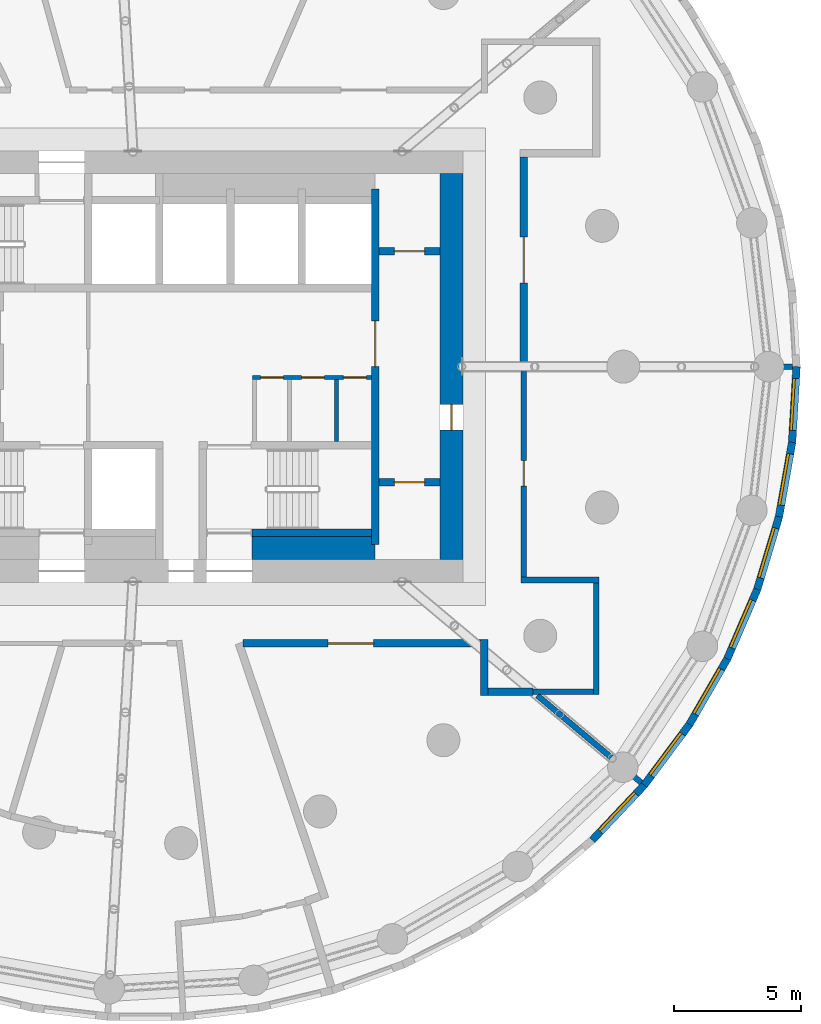
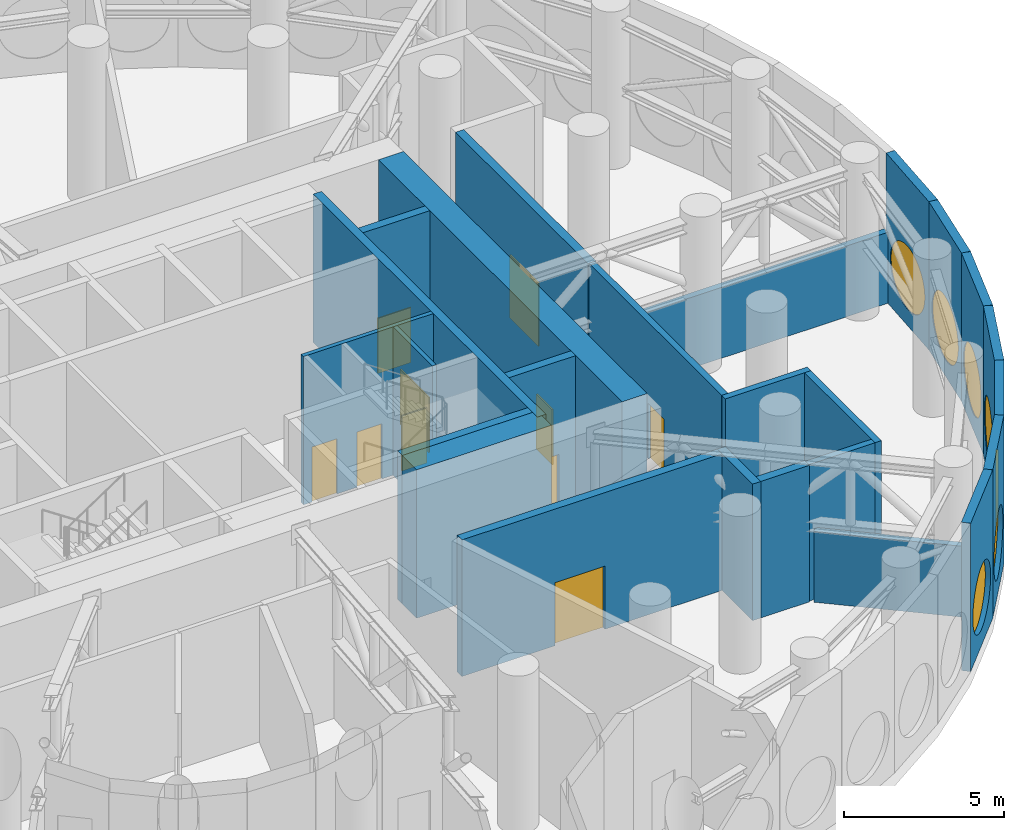
# One storey, part 10 of 15: 25 walls, 10 doors, 7 windows, 17 openings.
"""IFC4 building model written with IfcOpenShell, lengths in metres."""

from ifc_helpers import new_model, si_unit, direction, frame, frame_2d, origin, origin_2d, place, context, subcontext, project, spatial, rectangle, circle, extrude, material, layer, layer_set, type_object, element, fill, save


model = new_model("IFC4")

# Units and contexts
model_context = context("Model", 3, precision=1e-05, world=origin(), true_north=direction((0.0, 1.0)))
body_context = subcontext(model_context, "Body", "Model", "MODEL_VIEW")
ifc_project = project(units=[si_unit("LENGTHUNIT", "METRE"), si_unit("AREAUNIT", "SQUARE_METRE"), si_unit("VOLUMEUNIT", "CUBIC_METRE"), si_unit("PLANEANGLEUNIT", "RADIAN"), si_unit("MASSUNIT", "GRAM", prefix="KILO")], contexts=[model_context])

# Site, building, storey
site_placement = place(None, origin())
site = spatial("IfcSite", under=ifc_project, at=site_placement, CompositionType="ELEMENT")
building_placement = place(site_placement, origin())
building = spatial("IfcBuilding", under=site, at=building_placement, Name="Tracery Tower", CompositionType="ELEMENT")
storey_placement = place(building_placement, frame((0.0, 0.0, 225.0)))
storey = spatial("IfcBuildingStorey", under=building, at=storey_placement, Name="L58 Plant", CompositionType="ELEMENT", Elevation=225.0)

# Wall, openings, doors
ifc_material_1 = material(Name="Plasterboard on steel studs", Category="steel")
ifc_layer_1 = layer(ifc_material_1, 0.14990234375)
ifc_layer_set_1 = layer_set([ifc_layer_1], Name="Core room partition 150")
wall_type_1 = type_object("IfcWallType", Name="Core room partition 150", PredefinedType="SOLIDWALL", material=ifc_layer_set_1)
wall_1_placement = place(storey_placement, frame((4.22509765625, -0.425048828125, 0.0), z_axis=(0.0, 0.0, 1.0), x_axis=(1.0, 0.0, 0.0)))
wall_1 = element("IfcWall", 1, at=wall_1_placement, inside=storey, type_object=wall_type_1, Name="L58 Plant slot N", PredefinedType="SOLIDWALL", context=body_context, shape_type="SweptSolid", body=[
    extrude(rectangle(XDim=4.6748046875, YDim=0.14990234375, at=frame_2d((2.33740234375, 0.0))), origin(), (0.0, 0.0, 1.0), 5.64990234375),
])
opening_1_placement = place(wall_1_placement, frame((0.3125, 0.0, 0.0)))
opening_1 = element("IfcOpeningElement", 2, at=opening_1_placement, cuts=wall_1, Name="Opening KD37", PredefinedType="OPENING", context=body_context, shape_type="SweptSolid", body=[
    extrude(rectangle(XDim=0.89990234375, YDim=2.10009765625, at=frame_2d((0.449951171875, 1.050048828125))), frame((0.0, 0.074951171875, 0.0), z_axis=(0.0, -1.0, 0.0), x_axis=(1.0, 0.0, 0.0)), (0.0, 0.0, 1.0), 0.14990234375),
])
opening_2_placement = place(wall_1_placement, frame((1.925048828125, 0.0, 0.0)))
opening_2 = element("IfcOpeningElement", 3, at=opening_2_placement, cuts=wall_1, Name="Opening KD36", PredefinedType="OPENING", context=body_context, shape_type="SweptSolid", body=[
    extrude(rectangle(XDim=0.89990234375, YDim=2.10009765625, at=frame_2d((0.449951171875, 1.050048828125))), frame((0.0, 0.074951171875, 0.0), z_axis=(0.0, -1.0, 0.0), x_axis=(1.0, 0.0, 0.0)), (0.0, 0.0, 1.0), 0.14990234375),
])
opening_3_placement = place(wall_1_placement, frame((3.574951171875, 0.0, 0.0)))
opening_3 = element("IfcOpeningElement", 4, at=opening_3_placement, cuts=wall_1, Name="Opening KD37", PredefinedType="OPENING", context=body_context, shape_type="SweptSolid", body=[
    extrude(rectangle(XDim=0.89990234375, YDim=2.10009765625, at=frame_2d((0.449951171875, 1.050048828125))), frame((0.0, 0.074951171875, 0.0), z_axis=(0.0, -1.0, 0.0), x_axis=(1.0, 0.0, 0.0)), (0.0, 0.0, 1.0), 0.14990234375),
])
ifc_material_2 = material(Name="Steel fire door", Category="steel")
door_type_1 = type_object("IfcDoorType", Name="Core plant door 900", OperationType="NOTDEFINED", PredefinedType="DOOR", material=ifc_material_2)
door_1_placement = place(opening_1_placement, origin())
door_1 = element("IfcDoor", 5, at=door_1_placement, inside=storey, type_object=door_type_1, Name="Core door", OperationType="SINGLE_SWING_RIGHT", OverallHeight=2.10009765625, OverallWidth=0.89990234375, PredefinedType="DOOR", context=body_context, shape_type="SweptSolid", body=[
    extrude(rectangle(XDim=0.89990234375, YDim=2.10009765625, at=frame_2d((0.449951171875, 1.050048828125))), frame((0.0, 0.02490234375, 0.0), z_axis=(0.0, -1.0, 0.0), x_axis=(1.0, 0.0, 0.0)), (0.0, 0.0, 1.0), 0.050048828125),
])
fill(opening_1, door_1)
door_2_placement = place(opening_2_placement, origin())
door_2 = element("IfcDoor", 6, at=door_2_placement, inside=storey, type_object=door_type_1, Name="Core door", OperationType="SINGLE_SWING_LEFT", OverallHeight=2.10009765625, OverallWidth=0.89990234375, PredefinedType="DOOR", context=body_context, shape_type="SweptSolid", body=[
    extrude(rectangle(XDim=0.89990234375, YDim=2.10009765625, at=frame_2d((0.449951171875, 1.050048828125))), frame((0.0, 0.02490234375, 0.0), z_axis=(0.0, -1.0, 0.0), x_axis=(1.0, 0.0, 0.0)), (0.0, 0.0, 1.0), 0.050048828125),
])
fill(opening_2, door_2)
door_3_placement = place(opening_3_placement, origin())
door_3 = element("IfcDoor", 7, at=door_3_placement, inside=storey, type_object=door_type_1, Name="Core door", OperationType="SINGLE_SWING_RIGHT", OverallHeight=2.10009765625, OverallWidth=0.89990234375, PredefinedType="DOOR", context=body_context, shape_type="SweptSolid", body=[
    extrude(rectangle(XDim=0.89990234375, YDim=2.10009765625, at=frame_2d((0.449951171875, 1.050048828125))), frame((0.0, 0.02490234375, 0.0), z_axis=(0.0, -1.0, 0.0), x_axis=(1.0, 0.0, 0.0)), (0.0, 0.0, 1.0), 0.050048828125),
])
fill(opening_3, door_3)

# Walls
wall_2_placement = place(storey_placement, frame((7.52490234375, -2.949951171875, 0.0), z_axis=(0.0, 0.0, 1.0), x_axis=(0.0, 1.0, 0.0)))
element("IfcWall", 8, at=wall_2_placement, inside=storey, type_object=wall_type_1, Name="L58 Plant slot sep 2", PredefinedType="SOLIDWALL", context=body_context, shape_type="SweptSolid", body=[
    extrude(rectangle(XDim=2.449951171875, YDim=0.14990234375, at=frame_2d((1.22509765625, 0.0))), origin(), (0.0, 0.0, 1.0), 5.64990234375),
])
ifc_material_3 = material(Name="Concrete C50/60", Category="concrete")
ifc_layer_2 = layer(ifc_material_3, 0.89990234375)
ifc_layer_set_2 = layer_set([ifc_layer_2], Name="Core strip wall 900 C50")
wall_type_2 = type_object("IfcWallType", Name="Core strip wall 900 C50", PredefinedType="SOLIDWALL", material=ifc_layer_set_2)
wall_3_placement = place(storey_placement, frame((4.199951171875, -7.14990234375, 0.0), z_axis=(0.0, 0.0, 1.0), x_axis=(1.0, 0.0, 0.0)))
element("IfcWall", 9, at=wall_3_placement, inside=storey, type_object=wall_type_2, Name="L58 Plant F thick S E", PredefinedType="SOLIDWALL", context=body_context, shape_type="SweptSolid", body=[
    extrude(rectangle(XDim=4.85009765625, YDim=0.89990234375, at=frame_2d((2.425048828125, 0.0))), origin(), (0.0, 0.0, 1.0), 5.64990234375),
])

# Wall, opening, door
ifc_material_4 = material(Name="Concrete C50/60", Category="concrete")
ifc_layer_3 = layer(ifc_material_4, 0.89990234375)
ifc_layer_set_3 = layer_set([ifc_layer_3], Name="Core wall 900 C50")
wall_type_3 = type_object("IfcWallType", Name="Core wall 900 C50", PredefinedType="SOLIDWALL", material=ifc_layer_set_3)
wall_4_placement = place(storey_placement, frame((12.050048828125, -7.60009765625, 0.0), z_axis=(0.0, 0.0, 1.0), x_axis=(0.0, 1.0, 0.0)))
wall_4 = element("IfcWall", 10, at=wall_4_placement, inside=storey, type_object=wall_type_3, Name="L58 Plant outer E", PredefinedType="SOLIDWALL", context=body_context, shape_type="SweptSolid", body=[
    extrude(rectangle(XDim=15.2001953125, YDim=0.89990234375, at=frame_2d((7.60009765625, 0.0))), origin(), (0.0, 0.0, 1.0), 5.64990234375),
])
opening_4_placement = place(wall_4_placement, frame((5.10009765625, 0.0, 0.0)))
opening_4 = element("IfcOpeningElement", 11, at=opening_4_placement, cuts=wall_4, Name="Opening KD18", PredefinedType="OPENING", context=body_context, shape_type="SweptSolid", body=[
    extrude(rectangle(XDim=1.0, YDim=2.10009765625, at=frame_2d((0.5, 1.050048828125))), frame((0.0, 0.449951171875, 0.0), z_axis=(0.0, -1.0, 0.0), x_axis=(1.0, 0.0, 0.0)), (0.0, 0.0, 1.0), 0.89990234375),
])
ifc_material_5 = material(Name="Steel fire door", Category="steel")
door_type_2 = type_object("IfcDoorType", Name="Core exit door 1000", OperationType="NOTDEFINED", PredefinedType="DOOR", material=ifc_material_5)
door_4_placement = place(opening_4_placement, origin())
door_4 = element("IfcDoor", 12, at=door_4_placement, inside=storey, type_object=door_type_2, Name="Core exit door", OperationType="DOUBLE_DOOR_SINGLE_SWING", OverallHeight=2.10009765625, OverallWidth=1.0, PredefinedType="DOOR", context=body_context, shape_type="SweptSolid", body=[
    extrude(rectangle(XDim=1.0, YDim=2.10009765625, at=frame_2d((0.5, 1.050048828125))), frame((0.0, 0.02490234375, 0.0), z_axis=(0.0, -1.0, 0.0), x_axis=(1.0, 0.0, 0.0)), (0.0, 0.0, 1.0), 0.050048828125),
])
fill(opening_4, door_4)

# Wall, opening, window
ifc_material_6 = material(Name="Precast concrete C50/60", Category="concrete")
ifc_layer_4 = layer(ifc_material_6, 0.300048828125)
ifc_layer_set_4 = layer_set([ifc_layer_4], Name="Plant louvre panel 3000 x 5650")
wall_type_4 = type_object("IfcWallType", Name="Plant louvre panel 3000 x 5650", PredefinedType="SOLIDWALL", material=ifc_layer_set_4)
wall_5_placement = place(storey_placement, frame((17.600341796875, -18.6552734375, 0.0), z_axis=(0.0, 0.0, 1.0), x_axis=(0.686219609698, 0.72739442345, 0.0)))
wall_5 = element("IfcWall", 13, at=wall_5_placement, inside=storey, type_object=wall_type_4, Name="Plant louvre panel 48 at L58 Plant", PredefinedType="SOLIDWALL", context=body_context, shape_type="SweptSolid", body=[
    extrude(rectangle(XDim=2.982421875, YDim=0.300048828125, at=frame_2d((1.4912109375, 0.0))), origin(), (0.0, 0.0, 1.0), 5.64990234375),
])
opening_5_placement = place(wall_5_placement, frame((1.4912109375, 0.0, 1.824951171875)))
opening_5 = element("IfcOpeningElement", 14, at=opening_5_placement, cuts=wall_5, Name="Opening LV2", PredefinedType="OPENING", context=body_context, shape_type="SweptSolid", body=[
    extrude(circle(Radius=1.199951171875, at=origin_2d()), frame((0.0, 0.159912109375, 0.0), z_axis=(0.0, -1.0, 0.0), x_axis=(1.0, 0.0, 0.0)), (0.0, 0.0, 1.0), 0.320068359375),
])
ifc_material_7 = material(Name="Aluminium louvre, bronze anodised", Category="aluminium")
window_type = type_object("IfcWindowType", Name="Louvred oculus 2400, sill 625", PartitioningType="SINGLE_PANEL", PredefinedType="WINDOW", material=ifc_material_7)
window_1_placement = place(opening_5_placement, origin())
window_1 = element("IfcWindow", 15, at=window_1_placement, inside=storey, type_object=window_type, Name="Louvred oculus 48 at L58 Plant", OverallHeight=2.39990234375, OverallWidth=2.39990234375, PartitioningType="SINGLE_PANEL", PredefinedType="WINDOW", context=body_context, shape_type="SweptSolid", body=[
    extrude(circle(Radius=1.199951171875, at=origin_2d()), frame((0.0, 0.1201171875, 0.0), z_axis=(0.0, -1.0, 0.0), x_axis=(1.0, 0.0, 0.0)), (0.0, 0.0, 1.0), 0.10009765625),
])
fill(opening_5, window_1)

wall_6_placement = place(storey_placement, frame((19.64697265625, -16.48583984375, 0.0), z_axis=(0.0, 0.0, 1.0), x_axis=(0.597206768034, 0.802087324557, 0.0)))
wall_6 = element("IfcWall", 16, at=wall_6_placement, inside=storey, type_object=wall_type_4, Name="Plant louvre panel 49 at L58 Plant", PredefinedType="SOLIDWALL", context=body_context, shape_type="SweptSolid", body=[
    extrude(rectangle(XDim=2.982666015625, YDim=0.300048828125, at=frame_2d((1.4912109375, 0.0))), origin(), (0.0, 0.0, 1.0), 5.64990234375),
])
opening_6_placement = place(wall_6_placement, frame((1.4912109375, 0.0, 1.824951171875)))
opening_6 = element("IfcOpeningElement", 17, at=opening_6_placement, cuts=wall_6, Name="Opening LV2", PredefinedType="OPENING", context=body_context, shape_type="SweptSolid", body=[
    extrude(circle(Radius=1.199951171875, at=origin_2d()), frame((0.0, 0.159912109375, 0.0), z_axis=(0.0, -1.0, 0.0), x_axis=(1.0, 0.0, 0.0)), (0.0, 0.0, 1.0), 0.320068359375),
])
window_2_placement = place(opening_6_placement, origin())
window_2 = element("IfcWindow", 18, at=window_2_placement, inside=storey, type_object=window_type, Name="Louvred oculus 49 at L58 Plant", OverallHeight=2.39990234375, OverallWidth=2.39990234375, PartitioningType="SINGLE_PANEL", PredefinedType="WINDOW", context=body_context, shape_type="SweptSolid", body=[
    extrude(circle(Radius=1.199951171875, at=origin_2d()), frame((0.0, 0.1201171875, 0.0), z_axis=(0.0, -1.0, 0.0), x_axis=(1.0, 0.0, 0.0)), (0.0, 0.0, 1.0), 0.10009765625),
])
fill(opening_6, window_2)

wall_7_placement = place(storey_placement, frame((21.42822265625, -14.093505859375, 0.0), z_axis=(0.0, 0.0, 1.0), x_axis=(0.499977539641, 0.866038370891, 0.0)))
wall_7 = element("IfcWall", 19, at=wall_7_placement, inside=storey, type_object=wall_type_4, Name="Plant louvre panel 50 at L58 Plant", PredefinedType="SOLIDWALL", context=body_context, shape_type="SweptSolid", body=[
    extrude(rectangle(XDim=2.982666015625, YDim=0.300048828125, at=frame_2d((1.4912109375, 0.0))), origin(), (0.0, 0.0, 1.0), 5.64990234375),
])
opening_7_placement = place(wall_7_placement, frame((1.4912109375, 0.0, 1.824951171875)))
opening_7 = element("IfcOpeningElement", 20, at=opening_7_placement, cuts=wall_7, Name="Opening LV2", PredefinedType="OPENING", context=body_context, shape_type="SweptSolid", body=[
    extrude(circle(Radius=1.199951171875, at=origin_2d()), frame((0.0, 0.159912109375, 0.0), z_axis=(0.0, -1.0, 0.0), x_axis=(1.0, 0.0, 0.0)), (0.0, 0.0, 1.0), 0.320068359375),
])
window_3_placement = place(opening_7_placement, origin())
window_3 = element("IfcWindow", 21, at=window_3_placement, inside=storey, type_object=window_type, Name="Louvred oculus 50 at L58 Plant", OverallHeight=2.39990234375, OverallWidth=2.39990234375, PartitioningType="SINGLE_PANEL", PredefinedType="WINDOW", context=body_context, shape_type="SweptSolid", body=[
    extrude(circle(Radius=1.199951171875, at=origin_2d()), frame((0.0, 0.1201171875, 0.0), z_axis=(0.0, -1.0, 0.0), x_axis=(1.0, 0.0, 0.0)), (0.0, 0.0, 1.0), 0.10009765625),
])
fill(opening_7, window_3)

wall_8_placement = place(storey_placement, frame((22.91943359375, -11.510498046875, 0.0), z_axis=(0.0, 0.0, 1.0), x_axis=(0.396111410027, 0.918202456349, 0.0)))
wall_8 = element("IfcWall", 22, at=wall_8_placement, inside=storey, type_object=wall_type_4, Name="Plant louvre panel 51 at L58 Plant", PredefinedType="SOLIDWALL", context=body_context, shape_type="SweptSolid", body=[
    extrude(rectangle(XDim=2.982421875, YDim=0.300048828125, at=frame_2d((1.4912109375, 0.0))), origin(), (0.0, 0.0, 1.0), 5.64990234375),
])
opening_8_placement = place(wall_8_placement, frame((1.4912109375, 0.0, 1.824951171875)))
opening_8 = element("IfcOpeningElement", 23, at=opening_8_placement, cuts=wall_8, Name="Opening LV2", PredefinedType="OPENING", context=body_context, shape_type="SweptSolid", body=[
    extrude(circle(Radius=1.199951171875, at=origin_2d()), frame((0.0, 0.159912109375, 0.0), z_axis=(0.0, -1.0, 0.0), x_axis=(1.0, 0.0, 0.0)), (0.0, 0.0, 1.0), 0.320068359375),
])
window_4_placement = place(opening_8_placement, origin())
window_4 = element("IfcWindow", 24, at=window_4_placement, inside=storey, type_object=window_type, Name="Louvred oculus 51 at L58 Plant", OverallHeight=2.39990234375, OverallWidth=2.39990234375, PartitioningType="SINGLE_PANEL", PredefinedType="WINDOW", context=body_context, shape_type="SweptSolid", body=[
    extrude(circle(Radius=1.199951171875, at=origin_2d()), frame((0.0, 0.1201171875, 0.0), z_axis=(0.0, -1.0, 0.0), x_axis=(1.0, 0.0, 0.0)), (0.0, 0.0, 1.0), 0.10009765625),
])
fill(opening_8, window_4)

wall_9_placement = place(storey_placement, frame((24.100830078125, -8.77197265625, 0.0), z_axis=(0.0, 0.0, 1.0), x_axis=(0.286754535355, 0.958004089998, 0.0)))
wall_9 = element("IfcWall", 25, at=wall_9_placement, inside=storey, type_object=wall_type_4, Name="Plant louvre panel 52 at L58 Plant", PredefinedType="SOLIDWALL", context=body_context, shape_type="SweptSolid", body=[
    extrude(rectangle(XDim=2.982421875, YDim=0.300048828125, at=frame_2d((1.4912109375, 0.0))), origin(), (0.0, 0.0, 1.0), 5.64990234375),
])
opening_9_placement = place(wall_9_placement, frame((1.4912109375, 0.0, 1.824951171875)))
opening_9 = element("IfcOpeningElement", 26, at=opening_9_placement, cuts=wall_9, Name="Opening LV2", PredefinedType="OPENING", context=body_context, shape_type="SweptSolid", body=[
    extrude(circle(Radius=1.199951171875, at=origin_2d()), frame((0.0, 0.159912109375, 0.0), z_axis=(0.0, -1.0, 0.0), x_axis=(1.0, 0.0, 0.0)), (0.0, 0.0, 1.0), 0.320068359375),
])
window_5_placement = place(opening_9_placement, origin())
window_5 = element("IfcWindow", 27, at=window_5_placement, inside=storey, type_object=window_type, Name="Louvred oculus 52 at L58 Plant", OverallHeight=2.39990234375, OverallWidth=2.39990234375, PartitioningType="SINGLE_PANEL", PredefinedType="WINDOW", context=body_context, shape_type="SweptSolid", body=[
    extrude(circle(Radius=1.199951171875, at=origin_2d()), frame((0.0, 0.1201171875, 0.0), z_axis=(0.0, -1.0, 0.0), x_axis=(1.0, 0.0, 0.0)), (0.0, 0.0, 1.0), 0.10009765625),
])
fill(opening_9, window_5)

wall_10_placement = place(storey_placement, frame((24.9560546875, -5.914794921875, 0.0), z_axis=(0.0, 0.0, 1.0), x_axis=(0.17369661102, 0.984799211677, 0.0)))
wall_10 = element("IfcWall", 28, at=wall_10_placement, inside=storey, type_object=wall_type_4, Name="Plant louvre panel 53 at L58 Plant", PredefinedType="SOLIDWALL", context=body_context, shape_type="SweptSolid", body=[
    extrude(rectangle(XDim=2.982666015625, YDim=0.300048828125, at=frame_2d((1.4912109375, 0.0))), origin(), (0.0, 0.0, 1.0), 5.64990234375),
])
opening_10_placement = place(wall_10_placement, frame((1.4912109375, 0.0, 1.824951171875)))
opening_10 = element("IfcOpeningElement", 29, at=opening_10_placement, cuts=wall_10, Name="Opening LV2", PredefinedType="OPENING", context=body_context, shape_type="SweptSolid", body=[
    extrude(circle(Radius=1.199951171875, at=origin_2d()), frame((0.0, 0.159912109375, 0.0), z_axis=(0.0, -1.0, 0.0), x_axis=(1.0, 0.0, 0.0)), (0.0, 0.0, 1.0), 0.320068359375),
])
window_6_placement = place(opening_10_placement, origin())
window_6 = element("IfcWindow", 30, at=window_6_placement, inside=storey, type_object=window_type, Name="Louvred oculus 53 at L58 Plant", OverallHeight=2.39990234375, OverallWidth=2.39990234375, PartitioningType="SINGLE_PANEL", PredefinedType="WINDOW", context=body_context, shape_type="SweptSolid", body=[
    extrude(circle(Radius=1.199951171875, at=origin_2d()), frame((0.0, 0.1201171875, 0.0), z_axis=(0.0, -1.0, 0.0), x_axis=(1.0, 0.0, 0.0)), (0.0, 0.0, 1.0), 0.10009765625),
])
fill(opening_10, window_6)

wall_11_placement = place(storey_placement, frame((25.47412109375, -2.9775390625, 0.0), z_axis=(0.0, 0.0, 1.0), x_axis=(0.058117409476, 0.998309754894, 0.0)))
wall_11 = element("IfcWall", 31, at=wall_11_placement, inside=storey, type_object=wall_type_4, Name="Plant louvre panel 54 at L58 Plant", PredefinedType="SOLIDWALL", context=body_context, shape_type="SweptSolid", body=[
    extrude(rectangle(XDim=2.982666015625, YDim=0.300048828125, at=frame_2d((1.4912109375, 0.0))), origin(), (0.0, 0.0, 1.0), 5.64990234375),
])
opening_11_placement = place(wall_11_placement, frame((1.4912109375, 0.0, 1.824951171875)))
opening_11 = element("IfcOpeningElement", 32, at=opening_11_placement, cuts=wall_11, Name="Opening LV2", PredefinedType="OPENING", context=body_context, shape_type="SweptSolid", body=[
    extrude(circle(Radius=1.199951171875, at=origin_2d()), frame((0.0, 0.159912109375, 0.0), z_axis=(0.0, -1.0, 0.0), x_axis=(1.0, 0.0, 0.0)), (0.0, 0.0, 1.0), 0.320068359375),
])
window_7_placement = place(opening_11_placement, origin())
window_7 = element("IfcWindow", 33, at=window_7_placement, inside=storey, type_object=window_type, Name="Louvred oculus 54 at L58 Plant", OverallHeight=2.39990234375, OverallWidth=2.39990234375, PartitioningType="SINGLE_PANEL", PredefinedType="WINDOW", context=body_context, shape_type="SweptSolid", body=[
    extrude(circle(Radius=1.199951171875, at=origin_2d()), frame((0.0, 0.1201171875, 0.0), z_axis=(0.0, -1.0, 0.0), x_axis=(1.0, 0.0, 0.0)), (0.0, 0.0, 1.0), 0.10009765625),
])
fill(opening_11, window_7)

# Wall, opening, door
ifc_material_8 = material(Name="Concrete blockwork", Category="masonry")
ifc_layer_5 = layer(ifc_material_8, 0.22509765625)
ifc_layer_set_5 = layer_set([ifc_layer_5], Name="Plant room block wall 225")
wall_type_5 = type_object("IfcWallType", Name="Plant room block wall 225", PredefinedType="PARTITIONING", material=ifc_layer_set_5)
wall_12_placement = place(storey_placement, frame((14.89990234375, -8.290283203125, 0.0), z_axis=(0.0, 0.0, 1.0), x_axis=(0.0, 1.0, 0.0)))
wall_12 = element("IfcWall", 34, at=wall_12_placement, inside=storey, type_object=wall_type_5, Name="Plant room block wall 225", PredefinedType="PARTITIONING", context=body_context, shape_type="SweptSolid", body=[
    extrude(rectangle(XDim=8.290283203125, YDim=0.22509765625, at=frame_2d((4.14501953125, 0.0))), origin(), (0.0, 0.0, 1.0), 5.199951171875),
])
opening_12_placement = place(wall_12_placement, frame((3.5888671875, 0.0, 0.0)))
opening_12 = element("IfcOpeningElement", 35, at=opening_12_placement, cuts=wall_12, Name="Opening SB-P58-06", PredefinedType="OPENING", context=body_context, shape_type="SweptSolid", body=[
    extrude(rectangle(XDim=1.0, YDim=2.10009765625, at=frame_2d((0.5, 1.050048828125))), frame((0.0, 0.112548828125, 0.0), z_axis=(0.0, -1.0, 0.0), x_axis=(1.0, 0.0, 0.0)), (0.0, 0.0, 1.0), 0.22509765625),
])
ifc_material_9 = material(Name="Steel fire door", Category="steel")
door_type_3 = type_object("IfcDoorType", Name="Plant room door 1000", OperationType="NOTDEFINED", PredefinedType="DOOR", material=ifc_material_9)
door_5_placement = place(opening_12_placement, origin())
door_5 = element("IfcDoor", 36, at=door_5_placement, inside=storey, type_object=door_type_3, Name="Plant room door 1000", OperationType="SINGLE_SWING_LEFT", OverallHeight=2.10009765625, OverallWidth=1.0, PredefinedType="DOOR", context=body_context, shape_type="SweptSolid", body=[
    extrude(rectangle(XDim=1.0, YDim=2.10009765625, at=frame_2d((0.5, 1.050048828125))), frame((0.0, 0.02490234375, 0.0), z_axis=(0.0, -1.0, 0.0), x_axis=(1.0, 0.0, 0.0)), (0.0, 0.0, 1.0), 0.050048828125),
])
fill(opening_12, door_5)

# Walls
wall_13_placement = place(storey_placement, frame((15.2578125, -12.802978515625, 0.0), z_axis=(0.0, 0.0, 1.0), x_axis=(1.0, 0.0, 0.0)))
element("IfcWall", 37, at=wall_13_placement, inside=storey, type_object=wall_type_5, Name="Plant room block wall 225", PredefinedType="PARTITIONING", context=body_context, shape_type="SweptSolid", body=[
    extrude(rectangle(XDim=2.38134765625, YDim=0.22509765625, at=frame_2d((1.190673828125, 0.0))), origin(), (0.0, 0.0, 1.0), 5.199951171875),
])
wall_14_placement = place(storey_placement, frame((17.751708984375, -12.915283203125, 0.0), z_axis=(0.0, 0.0, 1.0), x_axis=(0.0, 1.0, 0.0)))
element("IfcWall", 38, at=wall_14_placement, inside=storey, type_object=wall_type_5, Name="Plant room block wall 225", PredefinedType="PARTITIONING", context=body_context, shape_type="SweptSolid", body=[
    extrude(rectangle(XDim=4.39990234375, YDim=0.22509765625, at=frame_2d((2.199951171875, 0.0))), origin(), (0.0, 0.0, 1.0), 5.199951171875),
])
wall_15_placement = place(storey_placement, frame((17.864013671875, -8.40283203125, 0.0), z_axis=(0.0, 0.0, 1.0), x_axis=(-1.0, 0.0, 0.0)))
element("IfcWall", 39, at=wall_15_placement, inside=storey, type_object=wall_type_5, Name="Plant room block wall 225", PredefinedType="PARTITIONING", context=body_context, shape_type="SweptSolid", body=[
    extrude(rectangle(XDim=3.076416015625, YDim=0.22509765625, at=frame_2d((1.5380859375, 0.0))), origin(), (0.0, 0.0, 1.0), 5.199951171875),
])
ifc_material_10 = material(Name="Concrete blockwork", Category="masonry")
ifc_layer_6 = layer(ifc_material_10, 0.22509765625)
ifc_layer_set_6 = layer_set([ifc_layer_6], Name="Plant wall under outrigger truss 225")
wall_type_6 = type_object("IfcWallType", Name="Plant wall under outrigger truss 225", PredefinedType="PARTITIONING", material=ifc_layer_set_6)
wall_16_placement = place(storey_placement, frame((19.531982421875, -16.389404296875, 0.0), z_axis=(0.0, 0.0, 1.0), x_axis=(-0.766023242491, 0.642812874765, 0.0)))
element("IfcWall", 40, at=wall_16_placement, inside=storey, type_object=wall_type_6, Name="Plant wall under outrigger truss 225", PredefinedType="PARTITIONING", context=body_context, shape_type="SweptSolid", body=[
    extrude(rectangle(XDim=5.34619140625, YDim=0.22509765625, at=frame_2d((2.673095703125, 0.0))), origin(), (0.0, 0.0, 1.0), 2.699951171875),
])
wall_17_placement = place(storey_placement, frame((25.497314453125, 0.0, 0.0), z_axis=(0.0, 0.0, 1.0), x_axis=(-1.0, 0.0, 0.0)))
element("IfcWall", 41, at=wall_17_placement, inside=storey, type_object=wall_type_6, Name="Plant wall under outrigger truss 225", PredefinedType="PARTITIONING", context=body_context, shape_type="SweptSolid", body=[
    extrude(rectangle(XDim=10.447265625, YDim=0.22509765625, at=frame_2d((5.2236328125, 0.0))), origin(), (0.0, 0.0, 1.0), 2.699951171875),
])

# Wall, opening, door
ifc_material_11 = material(Name="Concrete C50/60", Category="concrete")
ifc_layer_7 = layer(ifc_material_11, 0.300048828125)
ifc_layer_set_7 = layer_set([ifc_layer_7], Name="Shaft wall 300 C50")
wall_type_7 = type_object("IfcWallType", Name="Shaft wall 300 C50", PredefinedType="SOLIDWALL", material=ifc_layer_set_7)
wall_18_placement = place(storey_placement, frame((9.199951171875, -4.550048828125, 0.0), z_axis=(0.0, 0.0, 1.0), x_axis=(1.0, 0.0, 0.0)))
wall_18 = element("IfcWall", 42, at=wall_18_placement, inside=storey, type_object=wall_type_7, Name="L58 Plant MR E -4.55", PredefinedType="SOLIDWALL", context=body_context, shape_type="SweptSolid", body=[
    extrude(rectangle(XDim=2.400146484375, YDim=0.300048828125, at=frame_2d((1.2001953125, 0.0))), origin(), (0.0, 0.0, 1.0), 5.64990234375),
])
opening_13_placement = place(wall_18_placement, frame((0.60009765625, 0.0, 0.0)))
opening_13 = element("IfcOpeningElement", 43, at=opening_13_placement, cuts=wall_18, Name="Opening KD41", PredefinedType="OPENING", context=body_context, shape_type="SweptSolid", body=[
    extrude(rectangle(XDim=1.199951171875, YDim=2.10009765625, at=frame_2d((0.60009765625, 1.050048828125))), frame((0.0, 0.14990234375, 0.0), z_axis=(0.0, -1.0, 0.0), x_axis=(1.0, 0.0, 0.0)), (0.0, 0.0, 1.0), 0.300048828125),
])
ifc_material_12 = material(Name="Steel fire door", Category="steel")
door_type_4 = type_object("IfcDoorType", Name="Core plant door 1200", OperationType="NOTDEFINED", PredefinedType="DOOR", material=ifc_material_12)
door_6_placement = place(opening_13_placement, origin())
door_6 = element("IfcDoor", 44, at=door_6_placement, inside=storey, type_object=door_type_4, Name="Machine room door MR3", OperationType="SINGLE_SWING_LEFT", OverallHeight=2.10009765625, OverallWidth=1.199951171875, PredefinedType="DOOR", context=body_context, shape_type="SweptSolid", body=[
    extrude(rectangle(XDim=1.199951171875, YDim=2.10009765625, at=frame_2d((0.60009765625, 1.050048828125))), frame((0.0, 0.02490234375, 0.0), z_axis=(0.0, -1.0, 0.0), x_axis=(1.0, 0.0, 0.0)), (0.0, 0.0, 1.0), 0.050048828125),
])
fill(opening_13, door_6)

wall_19_placement = place(storey_placement, frame((9.199951171875, 4.550048828125, 0.0), z_axis=(0.0, 0.0, 1.0), x_axis=(1.0, 0.0, 0.0)))
wall_19 = element("IfcWall", 45, at=wall_19_placement, inside=storey, type_object=wall_type_7, Name="L58 Plant MR E +4.55", PredefinedType="SOLIDWALL", context=body_context, shape_type="SweptSolid", body=[
    extrude(rectangle(XDim=2.400146484375, YDim=0.300048828125, at=frame_2d((1.2001953125, 0.0))), origin(), (0.0, 0.0, 1.0), 5.64990234375),
])
opening_14_placement = place(wall_19_placement, frame((0.60009765625, 0.0, 0.0)))
opening_14 = element("IfcOpeningElement", 46, at=opening_14_placement, cuts=wall_19, Name="Opening KD41", PredefinedType="OPENING", context=body_context, shape_type="SweptSolid", body=[
    extrude(rectangle(XDim=1.199951171875, YDim=2.10009765625, at=frame_2d((0.60009765625, 1.050048828125))), frame((0.0, 0.14990234375, 0.0), z_axis=(0.0, -1.0, 0.0), x_axis=(1.0, 0.0, 0.0)), (0.0, 0.0, 1.0), 0.300048828125),
])
door_7_placement = place(opening_14_placement, origin())
door_7 = element("IfcDoor", 47, at=door_7_placement, inside=storey, type_object=door_type_4, Name="Machine room door MR4", OperationType="SINGLE_SWING_LEFT", OverallHeight=2.10009765625, OverallWidth=1.199951171875, PredefinedType="DOOR", context=body_context, shape_type="SweptSolid", body=[
    extrude(rectangle(XDim=1.199951171875, YDim=2.10009765625, at=frame_2d((0.60009765625, 1.050048828125))), frame((0.0, 0.02490234375, 0.0), z_axis=(0.0, -1.0, 0.0), x_axis=(1.0, 0.0, 0.0)), (0.0, 0.0, 1.0), 0.050048828125),
])
fill(opening_14, door_7)

ifc_material_13 = material(Name="Concrete C50/60", Category="concrete")
ifc_layer_8 = layer(ifc_material_13, 0.300048828125)
ifc_layer_set_8 = layer_set([ifc_layer_8], Name="Stair wall 300 C50")
wall_type_8 = type_object("IfcWallType", Name="Stair wall 300 C50", PredefinedType="SOLIDWALL", material=ifc_layer_set_8)
wall_20_placement = place(storey_placement, frame((9.050048828125, -7.0, 0.0), z_axis=(0.0, 0.0, 1.0), x_axis=(0.0, 1.0, 0.0)))
wall_20 = element("IfcWall", 48, at=wall_20_placement, inside=storey, type_object=wall_type_8, Name="L58 Plant F wall +9", PredefinedType="SOLIDWALL", context=body_context, shape_type="SweptSolid", body=[
    extrude(rectangle(XDim=14.0, YDim=0.300048828125, at=frame_2d((7.0, 0.0))), origin(), (0.0, 0.0, 1.0), 5.64990234375),
])
opening_15_placement = place(wall_20_placement, frame((7.0, 0.0, 0.0)))
opening_15 = element("IfcOpeningElement", 49, at=opening_15_placement, cuts=wall_20, Name="Opening KD13", PredefinedType="OPENING", context=body_context, shape_type="SweptSolid", body=[
    extrude(rectangle(XDim=1.800048828125, YDim=2.10009765625, at=frame_2d((0.89990234375, 1.050048828125))), frame((0.0, 0.14990234375, 0.0), z_axis=(0.0, -1.0, 0.0), x_axis=(1.0, 0.0, 0.0)), (0.0, 0.0, 1.0), 0.300048828125),
])
ifc_material_14 = material(Name="Steel fire door", Category="steel")
door_type_5 = type_object("IfcDoorType", Name="Core exit door 1800 double", OperationType="NOTDEFINED", PredefinedType="DOOR", material=ifc_material_14)
door_8_placement = place(opening_15_placement, origin())
door_8 = element("IfcDoor", 50, at=door_8_placement, inside=storey, type_object=door_type_5, Name="Core exit door", OperationType="DOUBLE_DOOR_SINGLE_SWING", OverallHeight=2.10009765625, OverallWidth=1.800048828125, PredefinedType="DOOR", context=body_context, shape_type="SweptSolid", body=[
    extrude(rectangle(XDim=1.800048828125, YDim=2.10009765625, at=frame_2d((0.89990234375, 1.050048828125))), frame((0.0, 0.02490234375, 0.0), z_axis=(0.0, -1.0, 0.0), x_axis=(1.0, 0.0, 0.0)), (0.0, 0.0, 1.0), 0.050048828125),
])
fill(opening_15, door_8)

# Wall
wall_21_placement = place(storey_placement, frame((4.199951171875, -6.550048828125, 0.0), z_axis=(0.0, 0.0, 1.0), x_axis=(1.0, 0.0, 0.0)))
element("IfcWall", 51, at=wall_21_placement, inside=storey, type_object=wall_type_8, Name="L58 Plant F stair strip S E", PredefinedType="SOLIDWALL", context=body_context, shape_type="SweptSolid", body=[
    extrude(rectangle(XDim=4.699951171875, YDim=0.300048828125, at=frame_2d((2.35009765625, 0.0))), origin(), (0.0, 0.0, 1.0), 5.64990234375),
])

# Wall, opening, door
ifc_material_15 = material(Name="Concrete blockwork", Category="masonry")
ifc_layer_9 = layer(ifc_material_15, 0.300048828125)
ifc_layer_set_9 = layer_set([ifc_layer_9], Name="Transformer room block wall 300")
wall_type_9 = type_object("IfcWallType", Name="Transformer room block wall 300", PredefinedType="PARTITIONING", material=ifc_layer_set_9)
wall_22_placement = place(storey_placement, frame((3.84033203125, -10.89990234375, 0.0), z_axis=(0.0, 0.0, 1.0), x_axis=(1.0, 0.0, 0.0)))
wall_22 = element("IfcWall", 52, at=wall_22_placement, inside=storey, type_object=wall_type_9, Name="Transformer room block wall 300", PredefinedType="PARTITIONING", context=body_context, shape_type="SweptSolid", body=[
    extrude(rectangle(XDim=9.361328125, YDim=0.300048828125, at=frame_2d((4.6806640625, 0.0))), origin(), (0.0, 0.0, 1.0), 5.199951171875),
])
opening_16_placement = place(wall_22_placement, frame((3.3505859375, 0.0, 0.0)))
opening_16 = element("IfcOpeningElement", 53, at=opening_16_placement, cuts=wall_22, Name="Opening SB-P58-12", PredefinedType="OPENING", context=body_context, shape_type="SweptSolid", body=[
    extrude(rectangle(XDim=1.800048828125, YDim=2.39990234375, at=frame_2d((0.89990234375, 1.199951171875))), frame((0.0, 0.14990234375, 0.0), z_axis=(0.0, -1.0, 0.0), x_axis=(1.0, 0.0, 0.0)), (0.0, 0.0, 1.0), 0.300048828125),
])
ifc_material_16 = material(Name="Steel fire door", Category="steel")
door_type_6 = type_object("IfcDoorType", Name="Plant room double door 1800", OperationType="DOUBLE_DOOR_SINGLE_SWING", PredefinedType="DOOR", material=ifc_material_16)
door_9_placement = place(opening_16_placement, origin())
door_9 = element("IfcDoor", 54, at=door_9_placement, inside=storey, type_object=door_type_6, Name="Plant room double door 1800", OperationType="DOUBLE_DOOR_SINGLE_SWING", OverallHeight=2.39990234375, OverallWidth=1.800048828125, PredefinedType="DOOR", context=body_context, shape_type="SweptSolid", body=[
    extrude(rectangle(XDim=1.800048828125, YDim=2.39990234375, at=frame_2d((0.89990234375, 1.199951171875))), frame((0.0, 0.02490234375, 0.0), z_axis=(0.0, -1.0, 0.0), x_axis=(1.0, 0.0, 0.0)), (0.0, 0.0, 1.0), 0.050048828125),
])
fill(opening_16, door_9)

# Walls
wall_23_placement = place(storey_placement, frame((13.501708984375, -12.802978515625, 0.0), z_axis=(0.0, 0.0, 1.0), x_axis=(1.0, 0.0, 0.0)))
element("IfcWall", 55, at=wall_23_placement, inside=storey, type_object=wall_type_9, Name="Transformer room block wall 300", PredefinedType="PARTITIONING", context=body_context, shape_type="SweptSolid", body=[
    extrude(rectangle(XDim=1.756103515625, YDim=0.300048828125, at=frame_2d((0.8779296875, 0.0))), origin(), (0.0, 0.0, 1.0), 5.199951171875),
])
wall_24_placement = place(storey_placement, frame((13.3515625, -10.75, 0.0), z_axis=(0.0, 0.0, 1.0), x_axis=(0.0, -1.0, 0.0)))
element("IfcWall", 56, at=wall_24_placement, inside=storey, type_object=wall_type_9, Name="Transformer room block wall 300", PredefinedType="PARTITIONING", context=body_context, shape_type="SweptSolid", body=[
    extrude(rectangle(XDim=2.202880859375, YDim=0.300048828125, at=frame_2d((1.1015625, 0.0))), origin(), (0.0, 0.0, 1.0), 5.199951171875),
])

# Wall, opening, door
wall_25_placement = place(storey_placement, frame((14.89990234375, 0.0, 0.0), z_axis=(0.0, 0.0, 1.0), x_axis=(0.0, 1.0, 0.0)))
wall_25 = element("IfcWall", 57, at=wall_25_placement, inside=storey, type_object=wall_type_9, Name="Transformer room block wall 300", PredefinedType="PARTITIONING", context=body_context, shape_type="SweptSolid", body=[
    extrude(rectangle(XDim=8.2529296875, YDim=0.300048828125, at=frame_2d((4.12646484375, 0.0))), origin(), (0.0, 0.0, 1.0), 5.199951171875),
])
opening_17_placement = place(wall_25_placement, frame((3.301513671875, 0.0, 0.0)))
opening_17 = element("IfcOpeningElement", 58, at=opening_17_placement, cuts=wall_25, Name="Opening SB-P58-01", PredefinedType="OPENING", context=body_context, shape_type="SweptSolid", body=[
    extrude(rectangle(XDim=1.800048828125, YDim=2.39990234375, at=frame_2d((0.89990234375, 1.199951171875))), frame((0.0, 0.14990234375, 0.0), z_axis=(0.0, -1.0, 0.0), x_axis=(1.0, 0.0, 0.0)), (0.0, 0.0, 1.0), 0.300048828125),
])
door_10_placement = place(opening_17_placement, origin())
door_10 = element("IfcDoor", 59, at=door_10_placement, inside=storey, type_object=door_type_6, Name="Plant room double door 1800", OperationType="DOUBLE_DOOR_SINGLE_SWING", OverallHeight=2.39990234375, OverallWidth=1.800048828125, PredefinedType="DOOR", context=body_context, shape_type="SweptSolid", body=[
    extrude(rectangle(XDim=1.800048828125, YDim=2.39990234375, at=frame_2d((0.89990234375, 1.199951171875))), frame((0.0, 0.02490234375, 0.0), z_axis=(0.0, -1.0, 0.0), x_axis=(1.0, 0.0, 0.0)), (0.0, 0.0, 1.0), 0.050048828125),
])
fill(opening_17, door_10)

save(model, "model.ifc")
